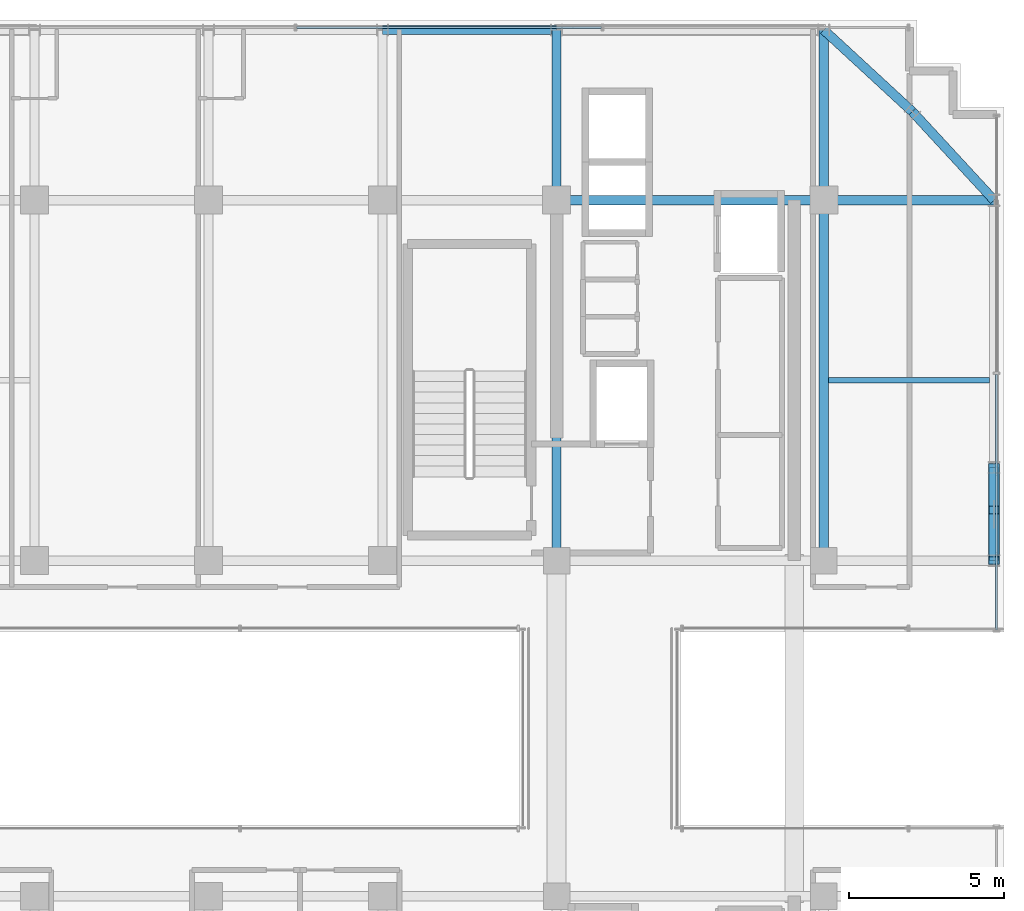
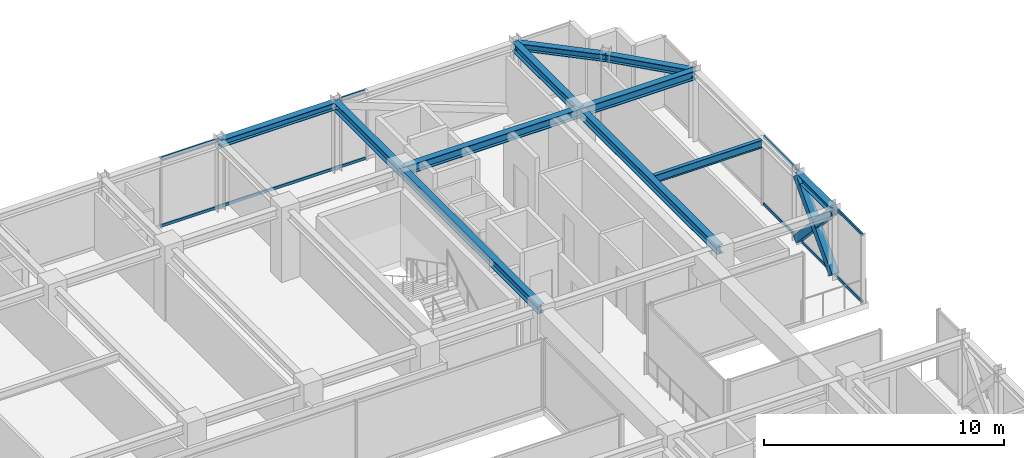
# One storey, part 26 of 37: 11 beams, 7 members, 2 elements without a shape of their own.
"""IFC4 building model written with IfcOpenShell, lengths in metres."""

from ifc_helpers import new_model, si_unit, direction, frame, origin, origin_2d, place, context, subcontext, project, spatial, hollow_rectangle, i_section, extrude, source, transform, mapped, material, material_profile, profile_set, type_object, element, aggregate, save


model = new_model("IFC4")

# Units and contexts
model_context = context("Model", 3, precision=1e-05, world=origin(), true_north=direction((0.0, 1.0)))
body_context = subcontext(model_context, "Body", "Model", "MODEL_VIEW")
ifc_project = project(units=[si_unit("LENGTHUNIT", "METRE"), si_unit("AREAUNIT", "SQUARE_METRE"), si_unit("VOLUMEUNIT", "CUBIC_METRE"), si_unit("PLANEANGLEUNIT", "RADIAN"), si_unit("MASSUNIT", "GRAM", prefix="KILO")], contexts=[model_context])

# Site, building, storey
site_placement = place(None, origin())
site = spatial("IfcSite", under=ifc_project, at=site_placement, CompositionType="ELEMENT")
building_placement = place(site_placement, origin())
building = spatial("IfcBuilding", under=site, at=building_placement, Name="Nahalor Promenade Grand Hotel", CompositionType="ELEMENT")
storey_placement = place(building_placement, frame((0.0, 0.0, 292.64990234375)))
storey = spatial("IfcBuildingStorey", under=building, at=storey_placement, Name="L75", CompositionType="ELEMENT", Elevation=292.64990234375)

# Beams
ifc_material_1 = material(Name="Steel S355JR", Category="steel")
ifc_material_profile_1 = material_profile(ifc_material_1, i_section(OverallWidth=0.3, OverallDepth=0.45, WebThickness=0.014, FlangeThickness=0.026, at=origin_2d()), Name="HEB 450")
ifc_profile_set_1 = profile_set([ifc_material_profile_1], Name="Steel S355JR")
beam_type_1 = type_object("IfcBeamType", Name="Beam-Girder-HEB450", PredefinedType="BEAM", material=ifc_profile_set_1)
shared_shape_1 = source(origin(), body_context, "Body", "SweptSolid", [
    extrude(i_section(OverallWidth=0.3, OverallDepth=0.45, WebThickness=0.014, FlangeThickness=0.026, at=origin_2d()), origin(), (0.0, 0.0, 1.0), 8.60009765625),
])
beam_1_placement = place(storey_placement, frame((8.39990234375, 17.0, 3.3251953125), z_axis=(1.0, 0.0, 0.0), x_axis=(0.0, 1.0, 0.0)))
element("IfcBeam", 1, at=beam_1_placement, inside=storey, type_object=beam_type_1, Name="BM-L75-GX-3-5", PredefinedType="BEAM", context=body_context, shape_type="MappedRepresentation", body=[
    mapped(shared_shape_1, transform((0.0, 0.0, 0.0), scale=1.0)),
])
shared_shape_2 = source(origin(), body_context, "Body", "SweptSolid", [
    extrude(i_section(OverallWidth=0.3, OverallDepth=0.45, WebThickness=0.014, FlangeThickness=0.026, at=origin_2d()), origin(), (0.0, 0.0, 1.0), 11.60009765625),
])
for number, where, z_axis, x_axis, name in (
    (2, (8.39990234375, 5.39990234375, 3.3251953125), (0.0, 1.0, 0.0), (-1.0, 0.0, 0.0), "BM-L75-GY-4-3"),
    (3, (17.0, 5.39990234375, 3.3251953125), (0.0, 1.0, 0.0), (-1.0, 0.0, 0.0), "BM-L75-GY-5-3"),
):
    element("IfcBeam", number, at=place(storey_placement, frame(where, z_axis=z_axis, x_axis=x_axis)), inside=storey, type_object=beam_type_1, Name=name, PredefinedType="BEAM", context=body_context, shape_type="MappedRepresentation", body=[
        mapped(shared_shape_2, transform((0.0, 0.0, 0.0), scale=1.0)),
    ])
shared_shape_3 = source(origin(), body_context, "Body", "SweptSolid", [
    extrude(i_section(OverallWidth=0.3, OverallDepth=0.45, WebThickness=0.014, FlangeThickness=0.026, at=origin_2d()), origin(), (0.0, 0.0, 1.0), 5.47998046875),
])
for number, where, z_axis, x_axis, name in (
    (4, (17.0, 17.0, 3.3251953125), (1.0, 0.0, 0.0), (0.0, 1.0, 0.0), "BM-L75-GX-3-6"),
    (5, (8.39990234375, 17.0, 3.3251953125), (0.0, 1.0, 0.0), (-1.0, 0.0, 0.0), "BM-L75-GY-4-4"),
    (6, (17.0, 17.0, 3.3251953125), (0.0, 1.0, 0.0), (-1.0, 0.0, 0.0), "BM-L75-GY-5-4"),
):
    element("IfcBeam", number, at=place(storey_placement, frame(where, z_axis=z_axis, x_axis=x_axis)), inside=storey, type_object=beam_type_1, Name=name, PredefinedType="BEAM", context=body_context, shape_type="MappedRepresentation", body=[
        mapped(shared_shape_3, transform((0.0, 0.0, 0.0), scale=1.0)),
    ])
ifc_material_profile_2 = material_profile(ifc_material_1, i_section(OverallWidth=0.18, OverallDepth=0.4, WebThickness=0.0086, FlangeThickness=0.0135, at=origin_2d()), Name="IPE 400")
ifc_profile_set_2 = profile_set([ifc_material_profile_2], Name="Steel S355JR")
beam_type_2 = type_object("IfcBeamType", Name="Beam-Joist-IPE400", PredefinedType="JOIST", material=ifc_profile_set_2)
shared_shape_4 = source(origin(), body_context, "Body", "SweptSolid", [
    extrude(i_section(OverallWidth=0.18, OverallDepth=0.4, WebThickness=0.0086, FlangeThickness=0.0135, at=origin_2d()), origin(), (0.0, 0.0, 1.0), 5.18017578125),
])
beam_2_placement = place(storey_placement, frame((17.14990234375, 11.199951171875, 3.35009765625), z_axis=(1.0, 0.0, 0.0), x_axis=(0.0, 1.0, 0.0)))
element("IfcBeam", 7, at=beam_2_placement, inside=storey, type_object=beam_type_2, Name="BM-L75-JSE-1-2", PredefinedType="JOIST", context=body_context, shape_type="MappedRepresentation", body=[
    mapped(shared_shape_4, transform((0.0, 0.0, 0.0), scale=1.0)),
])
ifc_material_profile_3 = material_profile(ifc_material_1, i_section(OverallWidth=0.3, OverallDepth=0.36, WebThickness=0.0125, FlangeThickness=0.0225, at=origin_2d()), Name="HEB 360")
ifc_profile_set_3 = profile_set([ifc_material_profile_3], Name="Steel S355JR")
beam_type_3 = type_object("IfcBeamType", Name="Beam-Spandrel-HEB360", PredefinedType="SPANDREL", material=ifc_profile_set_3)
shared_shape_5 = source(origin(), body_context, "Body", "SweptSolid", [
    extrude(i_section(OverallWidth=0.3, OverallDepth=0.36, WebThickness=0.0125, FlangeThickness=0.0225, at=origin_2d()), origin(), (0.0, 0.0, 1.0), 5.599853515625),
])
beam_3_placement = place(storey_placement, frame((2.800048828125, 22.47998046875, 3.3701171875), z_axis=(1.0, 0.0, 0.0), x_axis=(0.0, 1.0, 0.0)))
element("IfcBeam", 8, at=beam_3_placement, inside=storey, type_object=beam_type_3, Name="BM-L75-SP-N-3", PredefinedType="SPANDREL", context=body_context, shape_type="MappedRepresentation", body=[
    mapped(shared_shape_5, transform((0.0, 0.0, 0.0), scale=1.0)),
])
shared_shape_6 = source(origin(), body_context, "Body", "SweptSolid", [
    extrude(i_section(OverallWidth=0.3, OverallDepth=0.36, WebThickness=0.0125, FlangeThickness=0.0225, at=origin_2d()), origin(), (0.0, 0.0, 1.0), 3.0),
])
beam_4_placement = place(storey_placement, frame((22.47998046875, 5.39990234375, 3.3701171875), z_axis=(0.0, 1.0, 0.0), x_axis=(-1.0, 0.0, 0.0)))
element("IfcBeam", 9, at=beam_4_placement, inside=storey, type_object=beam_type_3, Name="BM-L75-SP-E-3", PredefinedType="SPANDREL", context=body_context, shape_type="MappedRepresentation", body=[
    mapped(shared_shape_6, transform((0.0, 0.0, 0.0), scale=1.0)),
])
shared_shape_7 = source(origin(), body_context, "Body", "SweptSolid", [
    extrude(i_section(OverallWidth=0.3, OverallDepth=0.36, WebThickness=0.0125, FlangeThickness=0.0225, at=origin_2d()), origin(), (0.0, 0.0, 1.0), 3.878173828125),
])
for number, where, z_axis, x_axis, name in (
    (10, (17.0, 22.47998046875, 3.3701171875), (0.73492893846, -0.678144125843, 0.0), (0.678144125843, 0.73492893846, 0.0), "BM-L75-SPC-NE-1"),
    (11, (19.85009765625, 19.85009765625, 3.3701171875), (0.678144125843, -0.73492893846, 0.0), (0.73492893846, 0.678144125843, 0.0), "BM-L75-SPC-NE-2"),
):
    element("IfcBeam", number, at=place(storey_placement, frame(where, z_axis=z_axis, x_axis=x_axis)), inside=storey, type_object=beam_type_3, Name=name, PredefinedType="SPANDREL", context=body_context, shape_type="MappedRepresentation", body=[
        mapped(shared_shape_7, transform((0.0, 0.0, 0.0), scale=1.0)),
    ])

# Members
ifc_material_profile_4 = material_profile(ifc_material_1, hollow_rectangle(XDim=0.35, YDim=0.35, WallThickness=0.02, at=origin_2d()), Name="SHS 350x350x20")
ifc_profile_set_4 = profile_set([ifc_material_profile_4], Name="Steel S355JR")
member_type_1 = type_object("IfcMemberType", Name="Mem-VoidBrace-SHS350", PredefinedType="BRACE", material=ifc_profile_set_4)
shared_shape_8 = source(origin(), body_context, "Body", "SweptSolid", [
    extrude(hollow_rectangle(XDim=0.35, YDim=0.35, WallThickness=0.02, at=origin_2d()), origin(), (0.0, 0.0, 1.0), 4.4228515625),
])
member_1_placement = place(storey_placement, frame((22.47998046875, 5.39990234375, 0.150146484375), z_axis=(0.0, 0.678280102733, 0.734803444627), x_axis=(-1.0, 0.0, 0.0)))
element("IfcMember", 12, at=member_1_placement, inside=storey, type_object=member_type_1, Name="EXO-L75-VX1-E1", PredefinedType="BRACE", context=body_context, shape_type="MappedRepresentation", body=[
    mapped(shared_shape_8, transform((0.0, 0.0, 0.0), scale=1.0)),
])
shared_shape_9 = source(origin(), body_context, "Body", "SweptSolid", [
    extrude(hollow_rectangle(XDim=0.35, YDim=0.35, WallThickness=0.02, at=origin_2d()), origin(), (0.0, 0.0, 1.0), 2.02392578125),
])
for number, where, z_axis, x_axis, name in (
    (13, (22.47998046875, 8.39990234375, 0.150146484375), (0.0, -0.678315173958, 0.734771069639), (1.0, 0.0, 0.0), "EXO-L75-VX2-E1A"),
    (14, (22.47998046875, 6.772705078125, 1.912841796875), (0.0, -0.678255053132, 0.734826566545), (1.0, 0.0, 0.0), "EXO-L75-VX2-E1B"),
):
    element("IfcMember", number, at=place(storey_placement, frame(where, z_axis=z_axis, x_axis=x_axis)), inside=storey, type_object=member_type_1, Name=name, PredefinedType="BRACE", context=body_context, shape_type="MappedRepresentation", body=[
        mapped(shared_shape_9, transform((0.0, 0.0, 0.0), scale=1.0)),
    ])

# Curtain wall, members
ifc_material_2 = material(Name="Anodised Bronze Aluminium EN AW-6063 T6", Category="aluminium")
curtain_wall_type = type_object("IfcCurtainWallType", Name="CW3 Elliptical-Void Collar Unitised Curtain Wall", PredefinedType="USERDEFINED", material=ifc_material_2)
curtain_wall_1_placement = place(storey_placement, origin())
curtain_wall_1 = element("IfcCurtainWall", 15, at=curtain_wall_1_placement, inside=storey, type_object=curtain_wall_type, Name="L75 Curtain Wall CW-L75-N-1", ObjectType="UNITISED_CURTAIN_WALL", PredefinedType="USERDEFINED")
ifc_material_profile_5 = material_profile(ifc_material_2, hollow_rectangle(XDim=0.07, YDim=0.14, WallThickness=0.004, at=origin_2d()), Name="CWT 70x140x4")
ifc_profile_set_5 = profile_set([ifc_material_profile_5], Name="Anodised Bronze Aluminium EN AW-6063 T6")
member_type_2 = type_object("IfcMemberType", Name="CWT3 Void Collar Transom 70x140", PredefinedType="USERDEFINED", material=ifc_profile_set_5)
shared_shape_10 = source(origin(), body_context, "Body", "SweptSolid", [
    extrude(hollow_rectangle(XDim=0.07, YDim=0.14, WallThickness=0.004, at=origin_2d()), origin(), (0.0, 0.0, 1.0), 9.81005859375),
])
member_2_placement = place(storey_placement, frame((0.034912109375, 22.56005859375, 0.070068359375), z_axis=(1.0, 0.0, 0.0), x_axis=(0.0, 1.0, 0.0)))
member_2 = element("IfcMember", 16, at=member_2_placement, type_object=member_type_2, Name="CW-L75-N-1 Transom 2-0", ObjectType="TRANSOM", PredefinedType="USERDEFINED", context=body_context, shape_type="MappedRepresentation", body=[
    mapped(shared_shape_10, transform((0.0, 0.0, 0.0), scale=1.0)),
])
member_3_placement = place(storey_placement, frame((0.034912109375, 22.56005859375, 3.47998046875), z_axis=(1.0, 0.0, 0.0), x_axis=(0.0, 1.0, 0.0)))
member_3 = element("IfcMember", 17, at=member_3_placement, type_object=member_type_2, Name="CW-L75-N-1 Transom 2-1", ObjectType="TRANSOM", PredefinedType="USERDEFINED", context=body_context, shape_type="MappedRepresentation", body=[
    mapped(shared_shape_10, transform((0.0, 0.0, 0.0), scale=1.0)),
])
aggregate(curtain_wall_1, [member_2, member_3])

curtain_wall_2_placement = place(storey_placement, origin())
curtain_wall_2 = element("IfcCurtainWall", 18, at=curtain_wall_2_placement, inside=storey, type_object=curtain_wall_type, Name="L75 Curtain Wall CW-L75-E-2", ObjectType="UNITISED_CURTAIN_WALL", PredefinedType="USERDEFINED")
shared_shape_11 = source(origin(), body_context, "Body", "SweptSolid", [
    extrude(hollow_rectangle(XDim=0.07, YDim=0.14, WallThickness=0.004, at=origin_2d()), origin(), (0.0, 0.0, 1.0), 8.22509765625),
])
member_4_placement = place(storey_placement, frame((22.56005859375, 3.169921875, 0.070068359375), z_axis=(0.0, 1.0, 0.0), x_axis=(-1.0, 0.0, 0.0)))
member_4 = element("IfcMember", 19, at=member_4_placement, type_object=member_type_2, Name="CW-L75-E-2 Transom 0-0", ObjectType="TRANSOM", PredefinedType="USERDEFINED", context=body_context, shape_type="MappedRepresentation", body=[
    mapped(shared_shape_11, transform((0.0, 0.0, 0.0), scale=1.0)),
])
member_5_placement = place(storey_placement, frame((22.56005859375, 3.169921875, 3.47998046875), z_axis=(0.0, 1.0, 0.0), x_axis=(-1.0, 0.0, 0.0)))
member_5 = element("IfcMember", 20, at=member_5_placement, type_object=member_type_2, Name="CW-L75-E-2 Transom 0-1", ObjectType="TRANSOM", PredefinedType="USERDEFINED", context=body_context, shape_type="MappedRepresentation", body=[
    mapped(shared_shape_11, transform((0.0, 0.0, 0.0), scale=1.0)),
])
aggregate(curtain_wall_2, [member_4, member_5])

save(model, "model.ifc")
